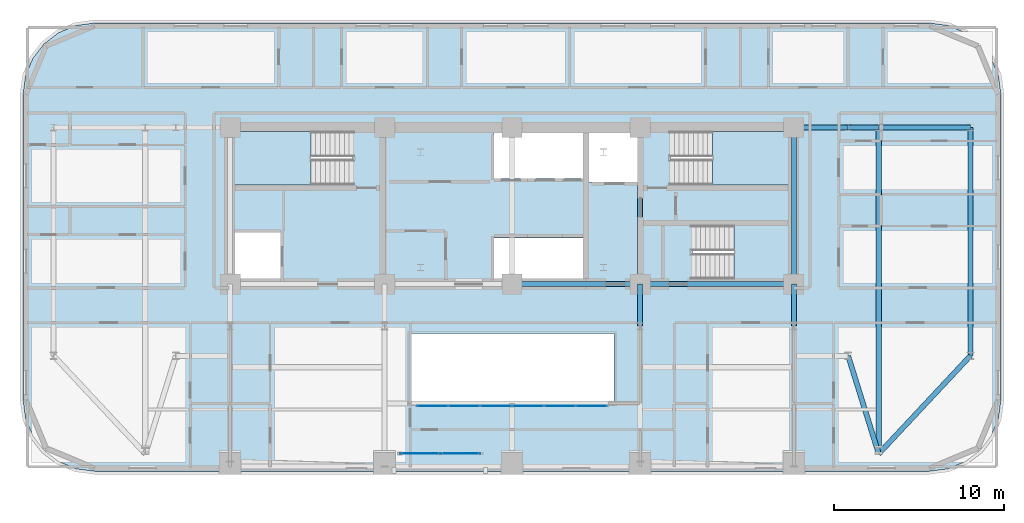
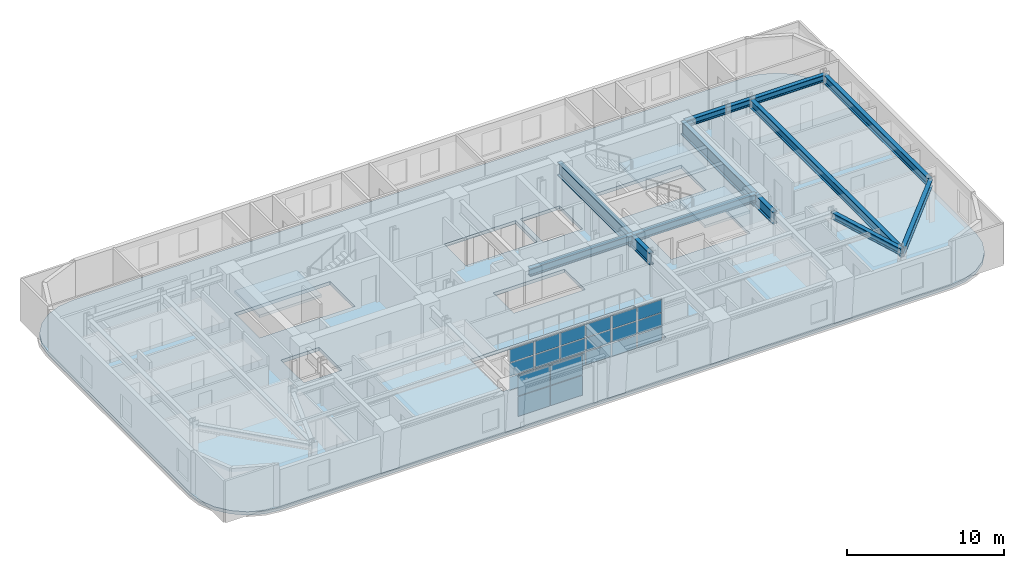
# One storey, part 6 of 16: 22 plates, 13 beams, 4 slabs, 5 elements without a shape of their own.
"""IFC4 building model written with IfcOpenShell, lengths in metres."""

from ifc_helpers import new_model, si_unit, direction, frame, origin, origin_2d, place, context, subcontext, project, spatial, polyline, rectangle, i_section, outline, extrude, material, layer, layer_set, material_profile, profile_set, type_object, element, aggregate, save


model = new_model("IFC4")

# Units and contexts
model_context = context("Model", 3, precision=1e-05, world=origin(), true_north=direction((0.0, 1.0)))
body_context = subcontext(model_context, "Body", "Model", "MODEL_VIEW")
ifc_project = project(units=[si_unit("LENGTHUNIT", "METRE"), si_unit("AREAUNIT", "SQUARE_METRE"), si_unit("VOLUMEUNIT", "CUBIC_METRE"), si_unit("PLANEANGLEUNIT", "RADIAN"), si_unit("MASSUNIT", "GRAM", prefix="KILO")], contexts=[model_context])

# Site, building, storey
site_placement = place(None, origin())
site = spatial("IfcSite", under=ifc_project, at=site_placement, CompositionType="ELEMENT")
building_placement = place(site_placement, origin())
building = spatial("IfcBuilding", under=site, at=building_placement, Name="Zarnavel Station Tower", CompositionType="ELEMENT")
storey_placement = place(building_placement, frame((0.0, 0.0, 97.800048828125)))
storey = spatial("IfcBuildingStorey", under=building, at=storey_placement, Name="L26", CompositionType="ELEMENT", Elevation=97.800048828125)

# Beams
ifc_material_1 = material(Name="Steel S355J2", Category="steel")
ifc_material_profile_1 = material_profile(ifc_material_1, i_section(OverallWidth=0.300048828125, OverallDepth=0.5, WebThickness=0.014404296875, FlangeThickness=0.028076171875, FilletRadius=0.027099609375, at=origin_2d()), Name="HEB500")
ifc_profile_set_1 = profile_set([ifc_material_profile_1], Name="Steel S355J2")
beam_type_1 = type_object("IfcBeamType", Name="FG_HEB500", PredefinedType="USERDEFINED", material=ifc_profile_set_1)
beam_1_placement = place(storey_placement, frame((45.544921875, 37.050048828125, 2.989990234375), z_axis=(1.0, 0.0, 0.0), x_axis=(0.0, 1.0, 0.0)))
element("IfcBeam", 1, at=beam_1_placement, inside=storey, type_object=beam_type_1, Name="L26 East Wing North Tie 1", ObjectType="GIRDER", PredefinedType="USERDEFINED", context=body_context, shape_type="SweptSolid", body=[
    extrude(i_section(OverallWidth=0.300048828125, OverallDepth=0.5, WebThickness=0.014404296875, FlangeThickness=0.028076171875, FilletRadius=0.027099609375, at=origin_2d()), origin(), (0.0, 0.0, 1.0), 3.05517578125),
])
beam_2_placement = place(storey_placement, frame((48.60009765625, 23.60009765625, 2.989990234375), z_axis=(0.297589960016, -0.954693781114, 0.0), x_axis=(0.954693781114, 0.297589960016, 0.0)))
element("IfcBeam", 2, at=beam_2_placement, inside=storey, type_object=beam_type_1, Name="L26 East Wing South Tie 2", ObjectType="GIRDER", PredefinedType="USERDEFINED", context=body_context, shape_type="SweptSolid", body=[
    extrude(i_section(OverallWidth=0.300048828125, OverallDepth=0.5, WebThickness=0.014404296875, FlangeThickness=0.028076171875, FilletRadius=0.027099609375, at=origin_2d()), origin(), (0.0, 0.0, 1.0), 6.0478515625),
])
beam_3_placement = place(storey_placement, frame((48.60009765625, 37.050048828125, 2.989990234375), z_axis=(1.0, 0.0, 0.0), x_axis=(0.0, 1.0, 0.0)))
element("IfcBeam", 3, at=beam_3_placement, inside=storey, type_object=beam_type_1, Name="L26 East Wing North Tie 2", ObjectType="GIRDER", PredefinedType="USERDEFINED", context=body_context, shape_type="SweptSolid", body=[
    extrude(i_section(OverallWidth=0.300048828125, OverallDepth=0.5, WebThickness=0.014404296875, FlangeThickness=0.028076171875, FilletRadius=0.027099609375, at=origin_2d()), origin(), (0.0, 0.0, 1.0), 1.7998046875),
])
beam_4_placement = place(storey_placement, frame((50.39990234375, 17.826171875, 2.989990234375), z_axis=(0.683071591127, 0.730351423217, 0.0), x_axis=(-0.730351423217, 0.683071591127, 0.0)))
element("IfcBeam", 4, at=beam_4_placement, inside=storey, type_object=beam_type_1, Name="L26 East Wing South Tie 3", ObjectType="GIRDER", PredefinedType="USERDEFINED", context=body_context, shape_type="SweptSolid", body=[
    extrude(i_section(OverallWidth=0.300048828125, OverallDepth=0.5, WebThickness=0.014404296875, FlangeThickness=0.028076171875, FilletRadius=0.027099609375, at=origin_2d()), origin(), (0.0, 0.0, 1.0), 7.90576171875),
])
beam_5_placement = place(storey_placement, frame((50.39990234375, 37.050048828125, 2.989990234375), z_axis=(1.0, 0.0, 0.0), x_axis=(0.0, 1.0, 0.0)))
element("IfcBeam", 5, at=beam_5_placement, inside=storey, type_object=beam_type_1, Name="L26 East Wing North Tie 3", ObjectType="GIRDER", PredefinedType="USERDEFINED", context=body_context, shape_type="SweptSolid", body=[
    extrude(i_section(OverallWidth=0.300048828125, OverallDepth=0.5, WebThickness=0.014404296875, FlangeThickness=0.028076171875, FilletRadius=0.027099609375, at=origin_2d()), origin(), (0.0, 0.0, 1.0), 5.400146484375),
])
ifc_material_2 = material(Name="Steel S355J2", Category="steel")
ifc_material_profile_2 = material_profile(ifc_material_2, i_section(OverallWidth=0.300048828125, OverallDepth=0.60009765625, WebThickness=0.015380859375, FlangeThickness=0.030029296875, FilletRadius=0.027099609375, at=origin_2d()), Name="HEB600")
ifc_profile_set_2 = profile_set([ifc_material_profile_2], Name="Steel S355J2")
beam_type_2 = type_object("IfcBeamType", Name="FG_HEB600", PredefinedType="USERDEFINED", material=ifc_profile_set_2)
beam_6_placement = place(storey_placement, frame((28.800048828125, 27.820068359375, 2.93994140625), z_axis=(1.0, 0.0, 0.0), x_axis=(0.0, 1.0, 0.0)))
element("IfcBeam", 6, at=beam_6_placement, inside=storey, type_object=beam_type_2, Name="L26 Core Front Coupling Beam 3", ObjectType="GIRDER", PredefinedType="USERDEFINED", context=body_context, shape_type="SweptSolid", body=[
    extrude(i_section(OverallWidth=0.300048828125, OverallDepth=0.60009765625, WebThickness=0.015380859375, FlangeThickness=0.030029296875, FilletRadius=0.027099609375, at=origin_2d()), origin(), (0.0, 0.0, 1.0), 7.550048828125),
])
beam_7_placement = place(storey_placement, frame((36.35009765625, 27.820068359375, 2.93994140625), z_axis=(1.0, 0.0, 0.0), x_axis=(0.0, 1.0, 0.0)))
element("IfcBeam", 7, at=beam_7_placement, inside=storey, type_object=beam_type_2, Name="L26 Core Front Coupling Beam 4", ObjectType="GIRDER", PredefinedType="USERDEFINED", context=body_context, shape_type="SweptSolid", body=[
    extrude(i_section(OverallWidth=0.300048828125, OverallDepth=0.60009765625, WebThickness=0.015380859375, FlangeThickness=0.030029296875, FilletRadius=0.027099609375, at=origin_2d()), origin(), (0.0, 0.0, 1.0), 9.0498046875),
])
ifc_material_3 = material(Name="Steel S355J2", Category="steel")
ifc_material_profile_3 = material_profile(ifc_material_3, i_section(OverallWidth=0.300048828125, OverallDepth=0.64990234375, WebThickness=0.01611328125, FlangeThickness=0.031005859375, FilletRadius=0.027099609375, at=origin_2d()), Name="HEB650")
ifc_profile_set_3 = profile_set([ifc_material_profile_3], Name="Steel S355J2")
beam_type_3 = type_object("IfcBeamType", Name="FG_HEB650", PredefinedType="USERDEFINED", material=ifc_profile_set_3)
beam_8_placement = place(storey_placement, frame((50.39990234375, 17.826171875, 2.9150390625), z_axis=(0.0, 1.0, 0.0), x_axis=(-1.0, 0.0, 0.0)))
element("IfcBeam", 8, at=beam_8_placement, inside=storey, type_object=beam_type_3, Name="L26 Wing NS Girder 3", ObjectType="GIRDER", PredefinedType="USERDEFINED", context=body_context, shape_type="SweptSolid", body=[
    extrude(i_section(OverallWidth=0.300048828125, OverallDepth=0.64990234375, WebThickness=0.01611328125, FlangeThickness=0.031005859375, FilletRadius=0.027099609375, at=origin_2d()), origin(), (0.0, 0.0, 1.0), 19.223876953125),
])
beam_9_placement = place(storey_placement, frame((55.800048828125, 23.60009765625, 2.9150390625), z_axis=(0.0, 1.0, 0.0), x_axis=(-1.0, 0.0, 0.0)))
element("IfcBeam", 9, at=beam_9_placement, inside=storey, type_object=beam_type_3, Name="L26 Wing NS Girder 4", ObjectType="GIRDER", PredefinedType="USERDEFINED", context=body_context, shape_type="SweptSolid", body=[
    extrude(i_section(OverallWidth=0.300048828125, OverallDepth=0.64990234375, WebThickness=0.01611328125, FlangeThickness=0.031005859375, FilletRadius=0.027099609375, at=origin_2d()), origin(), (0.0, 0.0, 1.0), 13.449951171875),
])
ifc_material_4 = material(Name="Steel S460M", Category="steel")
ifc_material_profile_4 = material_profile(ifc_material_4, i_section(OverallWidth=0.302001953125, OverallDepth=1.008056640625, WebThickness=0.02099609375, FlangeThickness=0.0400390625, FilletRadius=0.030029296875, at=origin_2d()), Name="HEM1000")
ifc_profile_set_4 = profile_set([ifc_material_profile_4], Name="Steel S460M")
beam_type_4 = type_object("IfcBeamType", Name="TG_HEM1000", PredefinedType="USERDEFINED", material=ifc_profile_set_4)
for number, where, z_axis, x_axis, name in (
    (10, (36.35009765625, 27.820068359375, 2.73583984375), (0.0, 1.0, 0.0), (-1.0, 0.0, 0.0), "L26 Core Spine Coupling Girder 4"),
    (11, (45.39990234375, 27.820068359375, 2.73583984375), (0.0, 1.0, 0.0), (-1.0, 0.0, 0.0), "L26 Core Spine Coupling Girder 5"),
):
    element("IfcBeam", number, at=place(storey_placement, frame(where, z_axis=z_axis, x_axis=x_axis)), inside=storey, type_object=beam_type_4, Name=name, ObjectType="GIRDER", PredefinedType="USERDEFINED", context=body_context, shape_type="SweptSolid", body=[
        extrude(i_section(OverallWidth=0.302001953125, OverallDepth=1.008056640625, WebThickness=0.02099609375, FlangeThickness=0.0400390625, FilletRadius=0.030029296875, at=origin_2d()), origin(), (0.0, 0.0, 1.0), 9.22998046875),
    ])
ifc_material_5 = material(Name="Steel S460M", Category="steel")
ifc_material_profile_5 = material_profile(ifc_material_5, i_section(OverallWidth=0.302001953125, OverallDepth=0.909912109375, WebThickness=0.02099609375, FlangeThickness=0.0400390625, FilletRadius=0.030029296875, at=origin_2d()), Name="HEM900")
ifc_profile_set_5 = profile_set([ifc_material_profile_5], Name="Steel S460M")
beam_type_5 = type_object("IfcBeamType", Name="TG_HEM900", PredefinedType="USERDEFINED", material=ifc_profile_set_5)
for number, where, z_axis, x_axis, name in (
    (12, (36.35009765625, 25.35009765625, 2.784912109375), (0.0, 1.0, 0.0), (-1.0, 0.0, 0.0), "L26 Inner-Zone NS Girder 4"),
    (13, (45.39990234375, 25.35009765625, 2.784912109375), (0.0, 1.0, 0.0), (-1.0, 0.0, 0.0), "L26 Inner-Zone NS Girder 5"),
):
    element("IfcBeam", number, at=place(storey_placement, frame(where, z_axis=z_axis, x_axis=x_axis)), inside=storey, type_object=beam_type_5, Name=name, ObjectType="GIRDER", PredefinedType="USERDEFINED", context=body_context, shape_type="SweptSolid", body=[
        extrude(i_section(OverallWidth=0.302001953125, OverallDepth=0.909912109375, WebThickness=0.02099609375, FlangeThickness=0.0400390625, FilletRadius=0.030029296875, at=origin_2d()), origin(), (0.0, 0.0, 1.0), 2.469970703125),
    ])

# Curtain wall, plates
ifc_material_6 = material(Name="Aluminium Dark Anodised and Solar-Control Glass", Category="aluminium")
ifc_layer_1 = layer(ifc_material_6, 0.179931640625)
ifc_layer_set_1 = layer_set([ifc_layer_1], Name="CWS3")
curtain_wall_type_1 = type_object("IfcCurtainWallType", Name="CWS3", PredefinedType="NOTDEFINED", material=ifc_layer_set_1)
curtain_wall_1_placement = place(storey_placement, origin())
curtain_wall_1 = element("IfcCurtainWall", 14, at=curtain_wall_1_placement, inside=storey, type_object=curtain_wall_type_1, Name="L26 Curtain Wall CWS3-L26-AS", PredefinedType="NOTDEFINED")
ifc_material_7 = material(Name="Double Low-E Dark Solar-Control Glass", Category="glass")
ifc_layer_2 = layer(ifc_material_7, 0.030029296875)
ifc_layer_set_2 = layer_set([ifc_layer_2], Name="CWS3_PNL")
plate_type_1 = type_object("IfcPlateType", Name="CWS3_PNL", PredefinedType="CURTAIN_PANEL", material=ifc_layer_set_2)
plate_1_placement = place(storey_placement, frame((24.106689453125, 20.64990234375, 0.06005859375), z_axis=(0.0, 0.0, 1.0), x_axis=(1.0, 0.0, 0.0)))
plate_1 = element("IfcPlate", 15, at=plate_1_placement, type_object=plate_type_1, Name="CW3 panel 1.1", PredefinedType="CURTAIN_PANEL", context=body_context, shape_type="SweptSolid", body=[
    extrude(rectangle(XDim=1.793212890625, YDim=0.028076171875, at=origin_2d()), origin(), (0.0, 0.0, 1.0), 0.989990234375),
])
plate_2_placement = place(storey_placement, frame((24.106689453125, 20.64990234375, 1.10986328125), z_axis=(0.0, 0.0, 1.0), x_axis=(1.0, 0.0, 0.0)))
plate_2 = element("IfcPlate", 16, at=plate_2_placement, type_object=plate_type_1, Name="CW3 panel 1.2", PredefinedType="CURTAIN_PANEL", context=body_context, shape_type="SweptSolid", body=[
    extrude(rectangle(XDim=1.793212890625, YDim=0.028076171875, at=origin_2d()), origin(), (0.0, 0.0, 1.0), 1.02001953125),
])
plate_3_placement = place(storey_placement, frame((24.106689453125, 20.64990234375, 2.18994140625), z_axis=(0.0, 0.0, 1.0), x_axis=(1.0, 0.0, 0.0)))
plate_3 = element("IfcPlate", 17, at=plate_3_placement, type_object=plate_type_1, Name="CW3 panel 1.3", PredefinedType="CURTAIN_PANEL", context=body_context, shape_type="SweptSolid", body=[
    extrude(rectangle(XDim=1.793212890625, YDim=0.028076171875, at=origin_2d()), origin(), (0.0, 0.0, 1.0), 0.989990234375),
])
plate_4_placement = place(storey_placement, frame((25.97509765625, 20.64990234375, 0.06005859375), z_axis=(0.0, 0.0, 1.0), x_axis=(1.0, 0.0, 0.0)))
plate_4 = element("IfcPlate", 18, at=plate_4_placement, type_object=plate_type_1, Name="CW3 panel 2.1", PredefinedType="CURTAIN_PANEL", context=body_context, shape_type="SweptSolid", body=[
    extrude(rectangle(XDim=1.8232421875, YDim=0.028076171875, at=origin_2d()), origin(), (0.0, 0.0, 1.0), 0.989990234375),
])
plate_5_placement = place(storey_placement, frame((25.97509765625, 20.64990234375, 1.10986328125), z_axis=(0.0, 0.0, 1.0), x_axis=(1.0, 0.0, 0.0)))
plate_5 = element("IfcPlate", 19, at=plate_5_placement, type_object=plate_type_1, Name="CW3 panel 2.2", PredefinedType="CURTAIN_PANEL", context=body_context, shape_type="SweptSolid", body=[
    extrude(rectangle(XDim=1.8232421875, YDim=0.028076171875, at=origin_2d()), origin(), (0.0, 0.0, 1.0), 1.02001953125),
])
plate_6_placement = place(storey_placement, frame((25.97509765625, 20.64990234375, 2.18994140625), z_axis=(0.0, 0.0, 1.0), x_axis=(1.0, 0.0, 0.0)))
plate_6 = element("IfcPlate", 20, at=plate_6_placement, type_object=plate_type_1, Name="CW3 panel 2.3", PredefinedType="CURTAIN_PANEL", context=body_context, shape_type="SweptSolid", body=[
    extrude(rectangle(XDim=1.8232421875, YDim=0.028076171875, at=origin_2d()), origin(), (0.0, 0.0, 1.0), 0.989990234375),
])
plate_7_placement = place(storey_placement, frame((27.8583984375, 20.64990234375, 0.06005859375), z_axis=(0.0, 0.0, 1.0), x_axis=(1.0, 0.0, 0.0)))
plate_7 = element("IfcPlate", 21, at=plate_7_placement, type_object=plate_type_1, Name="CW3 panel 3.1", PredefinedType="CURTAIN_PANEL", context=body_context, shape_type="SweptSolid", body=[
    extrude(rectangle(XDim=1.8232421875, YDim=0.028076171875, at=origin_2d()), origin(), (0.0, 0.0, 1.0), 0.989990234375),
])
plate_8_placement = place(storey_placement, frame((27.8583984375, 20.64990234375, 1.10986328125), z_axis=(0.0, 0.0, 1.0), x_axis=(1.0, 0.0, 0.0)))
plate_8 = element("IfcPlate", 22, at=plate_8_placement, type_object=plate_type_1, Name="CW3 panel 3.2", PredefinedType="CURTAIN_PANEL", context=body_context, shape_type="SweptSolid", body=[
    extrude(rectangle(XDim=1.8232421875, YDim=0.028076171875, at=origin_2d()), origin(), (0.0, 0.0, 1.0), 1.02001953125),
])
plate_9_placement = place(storey_placement, frame((27.8583984375, 20.64990234375, 2.18994140625), z_axis=(0.0, 0.0, 1.0), x_axis=(1.0, 0.0, 0.0)))
plate_9 = element("IfcPlate", 23, at=plate_9_placement, type_object=plate_type_1, Name="CW3 panel 3.3", PredefinedType="CURTAIN_PANEL", context=body_context, shape_type="SweptSolid", body=[
    extrude(rectangle(XDim=1.8232421875, YDim=0.028076171875, at=origin_2d()), origin(), (0.0, 0.0, 1.0), 0.989990234375),
])
plate_10_placement = place(storey_placement, frame((29.74169921875, 20.64990234375, 0.06005859375), z_axis=(0.0, 0.0, 1.0), x_axis=(1.0, 0.0, 0.0)))
plate_10 = element("IfcPlate", 24, at=plate_10_placement, type_object=plate_type_1, Name="CW3 panel 4.1", PredefinedType="CURTAIN_PANEL", context=body_context, shape_type="SweptSolid", body=[
    extrude(rectangle(XDim=1.8232421875, YDim=0.028076171875, at=origin_2d()), origin(), (0.0, 0.0, 1.0), 0.989990234375),
])
plate_11_placement = place(storey_placement, frame((29.74169921875, 20.64990234375, 1.10986328125), z_axis=(0.0, 0.0, 1.0), x_axis=(1.0, 0.0, 0.0)))
plate_11 = element("IfcPlate", 25, at=plate_11_placement, type_object=plate_type_1, Name="CW3 panel 4.2", PredefinedType="CURTAIN_PANEL", context=body_context, shape_type="SweptSolid", body=[
    extrude(rectangle(XDim=1.8232421875, YDim=0.028076171875, at=origin_2d()), origin(), (0.0, 0.0, 1.0), 1.02001953125),
])
plate_12_placement = place(storey_placement, frame((29.74169921875, 20.64990234375, 2.18994140625), z_axis=(0.0, 0.0, 1.0), x_axis=(1.0, 0.0, 0.0)))
plate_12 = element("IfcPlate", 26, at=plate_12_placement, type_object=plate_type_1, Name="CW3 panel 4.3", PredefinedType="CURTAIN_PANEL", context=body_context, shape_type="SweptSolid", body=[
    extrude(rectangle(XDim=1.8232421875, YDim=0.028076171875, at=origin_2d()), origin(), (0.0, 0.0, 1.0), 0.989990234375),
])
plate_13_placement = place(storey_placement, frame((31.625, 20.64990234375, 0.06005859375), z_axis=(0.0, 0.0, 1.0), x_axis=(1.0, 0.0, 0.0)))
plate_13 = element("IfcPlate", 27, at=plate_13_placement, type_object=plate_type_1, Name="CW3 panel 5.1", PredefinedType="CURTAIN_PANEL", context=body_context, shape_type="SweptSolid", body=[
    extrude(rectangle(XDim=1.8232421875, YDim=0.028076171875, at=origin_2d()), origin(), (0.0, 0.0, 1.0), 0.989990234375),
])
plate_14_placement = place(storey_placement, frame((31.625, 20.64990234375, 1.10986328125), z_axis=(0.0, 0.0, 1.0), x_axis=(1.0, 0.0, 0.0)))
plate_14 = element("IfcPlate", 28, at=plate_14_placement, type_object=plate_type_1, Name="CW3 panel 5.2", PredefinedType="CURTAIN_PANEL", context=body_context, shape_type="SweptSolid", body=[
    extrude(rectangle(XDim=1.8232421875, YDim=0.028076171875, at=origin_2d()), origin(), (0.0, 0.0, 1.0), 1.02001953125),
])
plate_15_placement = place(storey_placement, frame((31.625, 20.64990234375, 2.18994140625), z_axis=(0.0, 0.0, 1.0), x_axis=(1.0, 0.0, 0.0)))
plate_15 = element("IfcPlate", 29, at=plate_15_placement, type_object=plate_type_1, Name="CW3 panel 5.3", PredefinedType="CURTAIN_PANEL", context=body_context, shape_type="SweptSolid", body=[
    extrude(rectangle(XDim=1.8232421875, YDim=0.028076171875, at=origin_2d()), origin(), (0.0, 0.0, 1.0), 0.989990234375),
])
plate_16_placement = place(storey_placement, frame((33.493408203125, 20.64990234375, 0.06005859375), z_axis=(0.0, 0.0, 1.0), x_axis=(1.0, 0.0, 0.0)))
plate_16 = element("IfcPlate", 30, at=plate_16_placement, type_object=plate_type_1, Name="CW3 panel 6.1", PredefinedType="CURTAIN_PANEL", context=body_context, shape_type="SweptSolid", body=[
    extrude(rectangle(XDim=1.793212890625, YDim=0.028076171875, at=origin_2d()), origin(), (0.0, 0.0, 1.0), 0.989990234375),
])
plate_17_placement = place(storey_placement, frame((33.493408203125, 20.64990234375, 1.10986328125), z_axis=(0.0, 0.0, 1.0), x_axis=(1.0, 0.0, 0.0)))
plate_17 = element("IfcPlate", 31, at=plate_17_placement, type_object=plate_type_1, Name="CW3 panel 6.2", PredefinedType="CURTAIN_PANEL", context=body_context, shape_type="SweptSolid", body=[
    extrude(rectangle(XDim=1.793212890625, YDim=0.028076171875, at=origin_2d()), origin(), (0.0, 0.0, 1.0), 1.02001953125),
])
plate_18_placement = place(storey_placement, frame((33.493408203125, 20.64990234375, 2.18994140625), z_axis=(0.0, 0.0, 1.0), x_axis=(1.0, 0.0, 0.0)))
plate_18 = element("IfcPlate", 32, at=plate_18_placement, type_object=plate_type_1, Name="CW3 panel 6.3", PredefinedType="CURTAIN_PANEL", context=body_context, shape_type="SweptSolid", body=[
    extrude(rectangle(XDim=1.793212890625, YDim=0.028076171875, at=origin_2d()), origin(), (0.0, 0.0, 1.0), 0.989990234375),
])
aggregate(curtain_wall_1, [plate_1, plate_2, plate_3, plate_4, plate_5, plate_6, plate_7, plate_8, plate_9, plate_10, plate_11, plate_12, plate_13, plate_14, plate_15, plate_16, plate_17, plate_18])

ifc_material_8 = material(Name="Aluminium Dark Anodised and Solar-Control Glass", Category="aluminium")
ifc_layer_3 = layer(ifc_material_8, 0.179931640625)
ifc_layer_set_3 = layer_set([ifc_layer_3], Name="CWS6")
curtain_wall_type_2 = type_object("IfcCurtainWallType", Name="CWS6", PredefinedType="NOTDEFINED", material=ifc_layer_set_3)
curtain_wall_2_placement = place(storey_placement, origin())
curtain_wall_2 = element("IfcCurtainWall", 33, at=curtain_wall_2_placement, inside=storey, type_object=curtain_wall_type_2, Name="L26 Curtain Wall CWS6-LOG-L26", PredefinedType="NOTDEFINED")
ifc_material_9 = material(Name="Double Low-E Dark Solar-Control Glass", Category="glass")
ifc_layer_4 = layer(ifc_material_9, 0.0380859375)
ifc_layer_set_4 = layer_set([ifc_layer_4], Name="CWS6_PNL")
plate_type_2 = type_object("IfcPlateType", Name="CWS6_PNL", PredefinedType="CURTAIN_PANEL", material=ifc_layer_set_4)
plate_19_placement = place(storey_placement, frame((23.39111328125, 17.85009765625, 0.06005859375), z_axis=(0.0, 0.0, 1.0), x_axis=(1.0, 0.0, 0.0)))
plate_19 = element("IfcPlate", 34, at=plate_19_placement, type_object=plate_type_2, Name="CW6 panel 1.1", PredefinedType="CURTAIN_PANEL", context=body_context, shape_type="SweptSolid", body=[
    extrude(rectangle(XDim=2.325927734375, YDim=0.028076171875, at=origin_2d()), origin(), (0.0, 0.0, 1.0), 1.530029296875),
])
plate_20_placement = place(storey_placement, frame((23.39111328125, 17.85009765625, 1.64990234375), z_axis=(0.0, 0.0, 1.0), x_axis=(1.0, 0.0, 0.0)))
plate_20 = element("IfcPlate", 35, at=plate_20_placement, type_object=plate_type_2, Name="CW6 panel 1.2", PredefinedType="CURTAIN_PANEL", context=body_context, shape_type="SweptSolid", body=[
    extrude(rectangle(XDim=2.325927734375, YDim=0.028076171875, at=origin_2d()), origin(), (0.0, 0.0, 1.0), 1.530029296875),
])
plate_21_placement = place(storey_placement, frame((25.777099609375, 17.85009765625, 0.06005859375), z_axis=(0.0, 0.0, 1.0), x_axis=(1.0, 0.0, 0.0)))
plate_21 = element("IfcPlate", 36, at=plate_21_placement, type_object=plate_type_2, Name="CW6 panel 2.1", PredefinedType="CURTAIN_PANEL", context=body_context, shape_type="SweptSolid", body=[
    extrude(rectangle(XDim=2.325927734375, YDim=0.028076171875, at=origin_2d()), origin(), (0.0, 0.0, 1.0), 1.530029296875),
])
plate_22_placement = place(storey_placement, frame((25.777099609375, 17.85009765625, 1.64990234375), z_axis=(0.0, 0.0, 1.0), x_axis=(1.0, 0.0, 0.0)))
plate_22 = element("IfcPlate", 37, at=plate_22_placement, type_object=plate_type_2, Name="CW6 panel 2.2", PredefinedType="CURTAIN_PANEL", context=body_context, shape_type="SweptSolid", body=[
    extrude(rectangle(XDim=2.325927734375, YDim=0.028076171875, at=origin_2d()), origin(), (0.0, 0.0, 1.0), 1.530029296875),
])
aggregate(curtain_wall_2, [plate_19, plate_20, plate_21, plate_22])

# Slab
ifc_material_10 = material(Name="Concrete C45/55", Category="concrete")
ifc_layer_5 = layer(ifc_material_10, 0.260009765625)
ifc_layer_set_5 = layer_set([ifc_layer_5], Name="SL_FLR_260")
slab_type_1 = type_object("IfcSlabType", Name="SL_FLR_260", PredefinedType="FLOOR", material=ifc_layer_set_5)
slab_1_placement = place(storey_placement, frame((0.0, 0.0, -0.260009765625)))
element("IfcSlab", 38, at=slab_1_placement, inside=storey, type_object=slab_type_1, Name="L26 Structural Floor Slab", PredefinedType="FLOOR", context=body_context, shape_type="SweptSolid", body=[
    extrude(outline(polyline([(53.39990234375, 16.800048828125), (54.487060546875, 16.943115234375), (55.5, 17.36279296875), (56.369873046875, 18.0302734375), (57.037353515625, 18.89990234375), (57.456787109375, 19.9130859375), (57.60009765625, 21.0), (57.60009765625, 39.0), (57.456787109375, 40.0869140625), (57.037353515625, 41.10009765625), (56.369873046875, 41.9697265625), (55.5, 42.63720703125), (54.487060546875, 43.056884765625), (53.39990234375, 43.199951171875), (4.199951171875, 43.199951171875), (3.113037109375, 43.056884765625), (2.10009765625, 42.63720703125), (1.230224609375, 41.9697265625), (0.562744140625, 41.10009765625), (0.14306640625, 40.0869140625), (0.0, 39.0), (0.0, 21.0), (0.14306640625, 19.9130859375), (0.562744140625, 18.89990234375), (1.230224609375, 18.0302734375), (2.10009765625, 17.36279296875), (3.113037109375, 16.943115234375), (4.199951171875, 16.800048828125), (53.39990234375, 16.800048828125)]), holes=[polyline([(12.39990234375, 33.659912109375), (19.409912109375, 33.659912109375), (19.409912109375, 36.820068359375), (12.39990234375, 36.820068359375), (12.39990234375, 33.659912109375)]), polyline([(38.14990234375, 33.659912109375), (45.159912109375, 33.659912109375), (45.159912109375, 36.820068359375), (38.14990234375, 36.820068359375), (38.14990234375, 33.659912109375)]), polyline([(39.419921875, 28.1201171875), (45.14990234375, 28.1201171875), (45.14990234375, 31.280029296875), (39.419921875, 31.280029296875), (39.419921875, 28.1201171875)]), polyline([(12.35009765625, 27.949951171875), (15.14990234375, 27.949951171875), (15.14990234375, 30.85009765625), (12.35009765625, 30.85009765625), (12.35009765625, 27.949951171875)]), polyline([(33.320068359375, 33.85009765625), (36.2099609375, 33.85009765625), (36.2099609375, 36.780029296875), (33.320068359375, 36.780029296875), (33.320068359375, 33.85009765625)]), polyline([(27.75, 34.050048828125), (32.97998046875, 34.050048828125), (32.97998046875, 36.780029296875), (27.75, 36.780029296875), (27.75, 34.050048828125)]), polyline([(27.75, 27.949951171875), (32.97998046875, 27.949951171875), (32.97998046875, 30.550048828125), (27.75, 30.550048828125), (27.75, 27.949951171875)]), polyline([(22.800048828125, 20.800048828125), (34.800048828125, 20.800048828125), (34.800048828125, 24.89990234375), (22.800048828125, 24.89990234375), (22.800048828125, 20.800048828125)])]), origin(), (0.0, 0.0, 1.0), 0.260009765625),
])

# Stair, slab
ifc_material_11 = material(Name="Concrete C45/55", Category="concrete")
stair_type = type_object("IfcStairType", Name="ST_CORE_150", PredefinedType="HALF_TURN_STAIR", material=ifc_material_11)
stair_1_placement = place(storey_placement, origin())
stair_1 = element("IfcStair", 39, at=stair_1_placement, inside=storey, type_object=stair_type, Name="L26 Core Exit Stair ST1", PredefinedType="HALF_TURN_STAIR")
ifc_material_12 = material(Name="Concrete C45/55", Category="concrete")
ifc_layer_6 = layer(ifc_material_12, 0.199951171875)
ifc_layer_set_6 = layer_set([ifc_layer_6], Name="SL_STAIR_LAND_200")
slab_type_2 = type_object("IfcSlabType", Name="SL_STAIR_LAND_200", PredefinedType="LANDING", material=ifc_layer_set_6)
slab_2_placement = place(storey_placement, frame((0.0, 0.0, 1.550048828125)))
slab_2 = element("IfcSlab", 40, at=slab_2_placement, type_object=slab_type_2, Name="ST1 landing 1", PredefinedType="LANDING", context=body_context, shape_type="SweptSolid", body=[
    extrude(outline(polyline([(16.9599609375, 36.820068359375), (12.39990234375, 36.820068359375), (12.39990234375, 33.659912109375), (16.9599609375, 33.659912109375), (16.9599609375, 36.820068359375)])), origin(), (0.0, 0.0, 1.0), 0.199951171875),
])
aggregate(stair_1, [slab_2])

stair_2_placement = place(storey_placement, origin())
stair_2 = element("IfcStair", 41, at=stair_2_placement, inside=storey, type_object=stair_type, Name="L26 Core Exit Stair ST2", PredefinedType="HALF_TURN_STAIR")
slab_3_placement = place(storey_placement, frame((0.0, 0.0, 1.550048828125)))
slab_3 = element("IfcSlab", 42, at=slab_3_placement, type_object=slab_type_2, Name="ST2 landing 1", PredefinedType="LANDING", context=body_context, shape_type="SweptSolid", body=[
    extrude(outline(polyline([(40.60009765625, 33.659912109375), (45.159912109375, 33.659912109375), (45.159912109375, 36.820068359375), (40.60009765625, 36.820068359375), (40.60009765625, 33.659912109375)])), origin(), (0.0, 0.0, 1.0), 0.199951171875),
])
aggregate(stair_2, [slab_3])

stair_3_placement = place(storey_placement, origin())
stair_3 = element("IfcStair", 43, at=stair_3_placement, inside=storey, type_object=stair_type, Name="L26 Core Exit Stair ST3", PredefinedType="HALF_TURN_STAIR")
slab_4_placement = place(storey_placement, frame((0.0, 0.0, 1.550048828125)))
slab_4 = element("IfcSlab", 44, at=slab_4_placement, type_object=slab_type_2, Name="ST3 landing 1", PredefinedType="LANDING", context=body_context, shape_type="SweptSolid", body=[
    extrude(outline(polyline([(41.8701171875, 28.1201171875), (45.14990234375, 28.1201171875), (45.14990234375, 31.280029296875), (41.8701171875, 31.280029296875), (41.8701171875, 28.1201171875)])), origin(), (0.0, 0.0, 1.0), 0.199951171875),
])
aggregate(stair_3, [slab_4])

save(model, "model.ifc")
